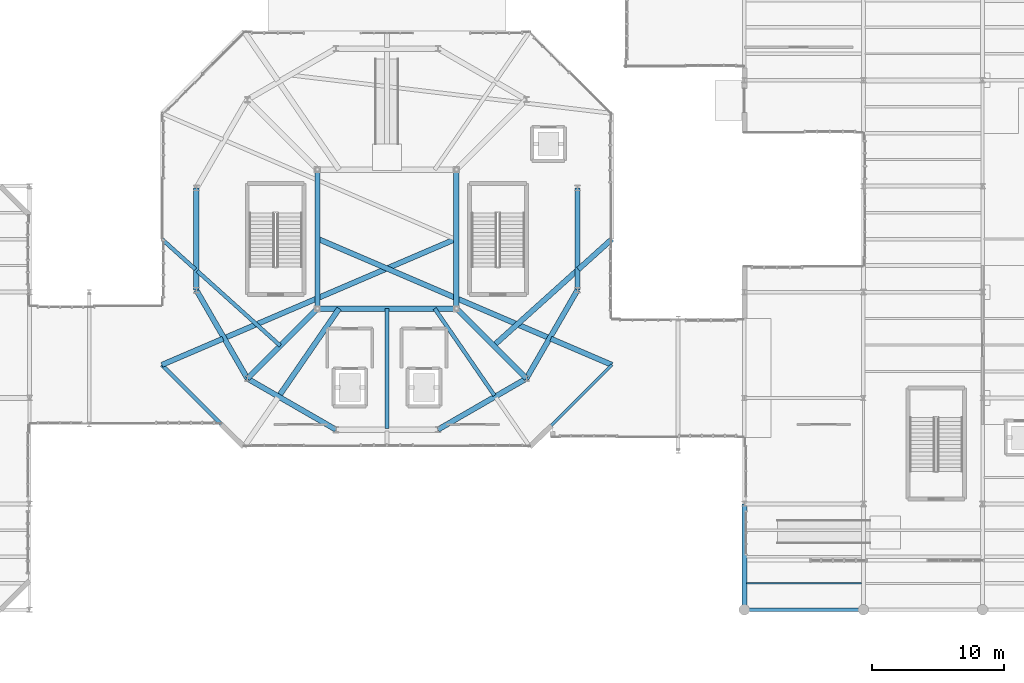
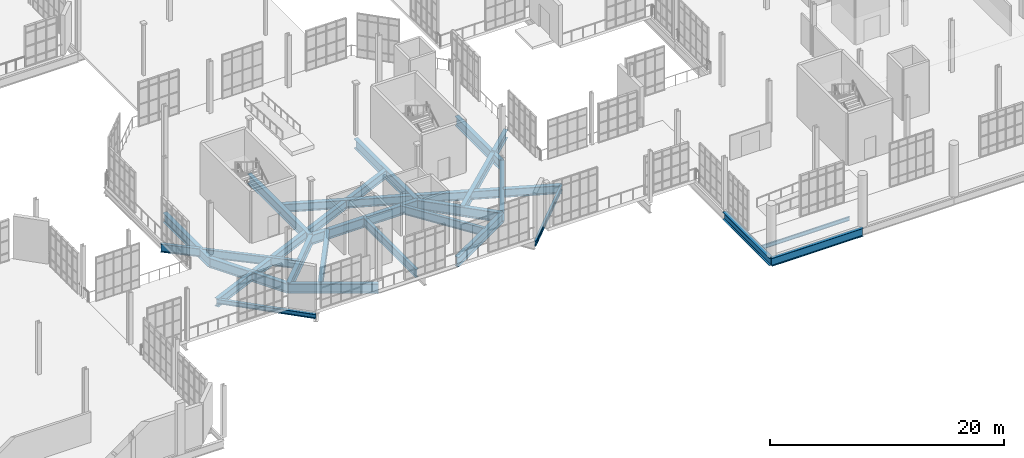
# One storey, part 46 of 189: 27 beams.
"""IFC4 building model written with IfcOpenShell, lengths in metres."""

from ifc_helpers import new_model, si_unit, direction, frame, origin, origin_2d, place, context, subcontext, project, spatial, i_section, extrude, material, material_profile, profile_set, type_object, element, save


model = new_model("IFC4")

# Units and contexts
model_context = context("Model", 3, precision=1e-05, world=origin(), true_north=direction((0.0, 1.0)))
body_context = subcontext(model_context, "Body", "Model", "MODEL_VIEW")
ifc_project = project(units=[si_unit("LENGTHUNIT", "METRE"), si_unit("AREAUNIT", "SQUARE_METRE"), si_unit("VOLUMEUNIT", "CUBIC_METRE"), si_unit("PLANEANGLEUNIT", "RADIAN"), si_unit("MASSUNIT", "GRAM", prefix="KILO"), si_unit("THERMODYNAMICTEMPERATUREUNIT", "KELVIN"), si_unit("POWERUNIT", "WATT")], contexts=[model_context])

# Site, building, storey
site_placement = place(None, origin())
site = spatial("IfcSite", under=ifc_project, at=site_placement, CompositionType="ELEMENT")
building_placement = place(site_placement, origin())
building = spatial("IfcBuilding", under=site, at=building_placement, Name="Zelmaris Science Centre", CompositionType="ELEMENT")
storey_placement = place(building_placement, origin())
storey = spatial("IfcBuildingStorey", under=building, at=storey_placement, Name="L00", CompositionType="ELEMENT", Elevation=0.0)

# Beams
ifc_material = material(Name="Steel ASTM A992 Grade 50", Category="steel")
ifc_material_profile_1 = material_profile(ifc_material, i_section(OverallWidth=0.40087890625, OverallDepth=0.85595703125, WebThickness=0.018310546875, FlangeThickness=0.029296875, FilletRadius=0.02001953125, at=origin_2d()), Name="W33X201")
ifc_profile_set_1 = profile_set([ifc_material_profile_1], Name="Steel ASTM A992 Grade 50")
beam_type_1 = type_object("IfcBeamType", Name="Beam G-05 W33X201", PredefinedType="BEAM", material=ifc_profile_set_1)
beam_1_placement = place(storey_placement, frame((75.75, 36.03515625, -0.76806640625), z_axis=(0.919155001304, -0.393896031432, 0.0), x_axis=(0.393896031432, 0.919155001304, 0.0)))
element("IfcBeam", 1, at=beam_1_placement, inside=storey, type_object=beam_type_1, Name="L00 Overhang back-span girder 4", PredefinedType="BEAM", context=body_context, shape_type="SweptSolid", body=[
    extrude(i_section(OverallWidth=0.40087890625, OverallDepth=0.85595703125, WebThickness=0.018310546875, FlangeThickness=0.029296875, FilletRadius=0.02001953125, at=origin_2d()), origin(), (0.0, 0.0, 1.0), 18.995849609375),
])
beam_2_placement = place(storey_placement, frame((93.384765625, 28.477783203125, -0.76806640625), z_axis=(0.919157604305, -0.393889957283, 0.0), x_axis=(0.393889957283, 0.919157604305, 0.0)))
element("IfcBeam", 2, at=beam_2_placement, inside=storey, type_object=beam_type_1, Name="L00 Radial overhang girder 4", PredefinedType="BEAM", context=body_context, shape_type="SweptSolid", body=[
    extrude(i_section(OverallWidth=0.40087890625, OverallDepth=0.85595703125, WebThickness=0.018310546875, FlangeThickness=0.029296875, FilletRadius=0.02001953125, at=origin_2d()), origin(), (0.0, 0.0, 1.0), 5.021240234375),
])
beam_3_placement = place(storey_placement, frame((86.25, 36.03515625, -0.76806640625), z_axis=(-0.919155001304, -0.393896031432, 0.0), x_axis=(0.393896031432, -0.919155001304, 0.0)))
element("IfcBeam", 3, at=beam_3_placement, inside=storey, type_object=beam_type_1, Name="L00 Overhang back-span girder 12", PredefinedType="BEAM", context=body_context, shape_type="SweptSolid", body=[
    extrude(i_section(OverallWidth=0.40087890625, OverallDepth=0.85595703125, WebThickness=0.018310546875, FlangeThickness=0.029296875, FilletRadius=0.02001953125, at=origin_2d()), origin(), (0.0, 0.0, 1.0), 18.995849609375),
])
beam_4_placement = place(storey_placement, frame((68.615234375, 28.477783203125, -0.76806640625), z_axis=(-0.919157604305, -0.393889957283, 0.0), x_axis=(0.393889957283, -0.919157604305, 0.0)))
element("IfcBeam", 4, at=beam_4_placement, inside=storey, type_object=beam_type_1, Name="L00 Radial overhang girder 12", PredefinedType="BEAM", context=body_context, shape_type="SweptSolid", body=[
    extrude(i_section(OverallWidth=0.40087890625, OverallDepth=0.85595703125, WebThickness=0.018310546875, FlangeThickness=0.029296875, FilletRadius=0.02001953125, at=origin_2d()), origin(), (0.0, 0.0, 1.0), 5.021240234375),
])
ifc_material_profile_2 = material_profile(ifc_material, i_section(OverallWidth=0.294921875, OverallDepth=0.85107421875, WebThickness=0.01611328125, FlangeThickness=0.02685546875, FilletRadius=0.02001953125, at=origin_2d()), Name="W33X152")
ifc_profile_set_2 = profile_set([ifc_material_profile_2], Name="Steel ASTM A992 Grade 50")
beam_type_2 = type_object("IfcBeamType", Name="Beam G-06 W33X152", PredefinedType="BEAM", material=ifc_profile_set_2)
beam_5_placement = place(storey_placement, frame((81.0, 30.75, -0.765380859375), z_axis=(0.0, -1.0, 0.0), x_axis=(1.0, 0.0, 0.0)))
element("IfcBeam", 5, at=beam_5_placement, inside=storey, type_object=beam_type_2, Name="L00 Overhang back-span girder 2", PredefinedType="BEAM", context=body_context, shape_type="SweptSolid", body=[
    extrude(i_section(OverallWidth=0.294921875, OverallDepth=0.85107421875, WebThickness=0.01611328125, FlangeThickness=0.02685546875, FilletRadius=0.02001953125, at=origin_2d()), origin(), (0.0, 0.0, 1.0), 9.04736328125),
])
ifc_material_profile_3 = material_profile(ifc_material, i_section(OverallWidth=0.2919921875, OverallDepth=0.841064453125, WebThickness=0.0146484375, FlangeThickness=0.021728515625, FilletRadius=0.02001953125, at=origin_2d()), Name="W33X130")
ifc_profile_set_3 = profile_set([ifc_material_profile_3], Name="Steel ASTM A992 Grade 50")
beam_type_3 = type_object("IfcBeamType", Name="Beam G-07 W33X130", PredefinedType="BEAM", material=ifc_profile_set_3)
beam_6_placement = place(storey_placement, frame((108.0, 8.0, -0.700439453125), z_axis=(1.0, 0.0, 0.0), x_axis=(0.0, 1.0, 0.0)))
element("IfcBeam", 6, at=beam_6_placement, inside=storey, type_object=beam_type_3, Name="L00 East-west girder 96", PredefinedType="BEAM", context=body_context, shape_type="SweptSolid", body=[
    extrude(i_section(OverallWidth=0.2919921875, OverallDepth=0.841064453125, WebThickness=0.0146484375, FlangeThickness=0.021728515625, FilletRadius=0.02001953125, at=origin_2d()), origin(), (0.0, 0.0, 1.0), 9.0),
])
ifc_material_profile_4 = material_profile(ifc_material, i_section(OverallWidth=0.40087890625, OverallDepth=1.0009765625, WebThickness=0.01904296875, FlangeThickness=0.0361328125, FilletRadius=0.02490234375, at=origin_2d()), Name="W40X249")
ifc_profile_set_4 = profile_set([ifc_material_profile_4], Name="Steel ASTM A992 Grade 50")
beam_type_4 = type_object("IfcBeamType", Name="Beam G-22 W40X249", PredefinedType="BEAM", material=ifc_profile_set_4)
for number, where, z_axis, x_axis, name in (
    (7, (66.607666015625, 39.8564453125, -0.840576171875), (0.0, -1.0, 0.0), (1.0, 0.0, 0.0), "L00 Exhibition inner ring girder 6"),
    (8, (66.607666015625, 32.1435546875, -0.840576171875), (0.500006504531, -0.866021648359, 0.0), (0.866021648359, 0.500006504531, 0.0), "L00 Exhibition inner ring girder 7"),
    (9, (70.464111328125, 25.464111328125, -0.840576171875), (0.866021648359, -0.500006504531, 0.0), (0.500006504531, 0.866021648359, 0.0), "L00 Exhibition inner ring girder 8"),
    (10, (84.8564453125, 21.607666015625, -0.840576171875), (0.866021648359, 0.500006504531, 0.0), (-0.500006504531, 0.866021648359, 0.0), "L00 Exhibition inner ring girder 10"),
    (11, (91.535888671875, 25.464111328125, -0.840576171875), (0.500006504531, 0.866021648359, 0.0), (-0.866021648359, 0.500006504531, 0.0), "L00 Exhibition inner ring girder 11"),
    (12, (95.392333984375, 32.1435546875, -0.840576171875), (0.0, 1.0, 0.0), (-1.0, 0.0, 0.0), "L00 Exhibition inner ring girder 12"),
):
    element("IfcBeam", number, at=place(storey_placement, frame(where, z_axis=z_axis, x_axis=x_axis)), inside=storey, type_object=beam_type_4, Name=name, PredefinedType="BEAM", context=body_context, shape_type="SweptSolid", body=[
        extrude(i_section(OverallWidth=0.40087890625, OverallDepth=1.0009765625, WebThickness=0.01904296875, FlangeThickness=0.0361328125, FilletRadius=0.02490234375, at=origin_2d()), origin(), (0.0, 0.0, 1.0), 7.712890625),
    ])
for number, where, z_axis, x_axis, name in (
    (13, (75.75, 30.75, -0.840576171875), (1.0, 0.0, 0.0), (0.0, 1.0, 0.0), "L00 Atrium framing girder 1"),
    (14, (86.25, 30.75, -0.840576171875), (0.0, 1.0, 0.0), (-1.0, 0.0, 0.0), "L00 Atrium framing girder 2"),
    (15, (75.75, 41.25, -0.840576171875), (0.0, -1.0, 0.0), (1.0, 0.0, 0.0), "L00 Atrium framing girder 4"),
):
    element("IfcBeam", number, at=place(storey_placement, frame(where, z_axis=z_axis, x_axis=x_axis)), inside=storey, type_object=beam_type_4, Name=name, PredefinedType="BEAM", context=body_context, shape_type="SweptSolid", body=[
        extrude(i_section(OverallWidth=0.40087890625, OverallDepth=1.0009765625, WebThickness=0.01904296875, FlangeThickness=0.0361328125, FilletRadius=0.02490234375, at=origin_2d()), origin(), (0.0, 0.0, 1.0), 10.5),
    ])
for number, where, z_axis, x_axis, name in (
    (16, (75.75, 30.75, -0.840576171875), (-0.707106781187, -0.707106781187, 0.0), (0.707106781187, -0.707106781187, 0.0), "L00 Atrium diagonal header girder 1"),
    (17, (86.25, 30.75, -0.840576171875), (0.707106781187, -0.707106781187, 0.0), (0.707106781187, 0.707106781187, 0.0), "L00 Atrium diagonal header girder 2"),
):
    element("IfcBeam", number, at=place(storey_placement, frame(where, z_axis=z_axis, x_axis=x_axis)), inside=storey, type_object=beam_type_4, Name=name, PredefinedType="BEAM", context=body_context, shape_type="SweptSolid", body=[
        extrude(i_section(OverallWidth=0.40087890625, OverallDepth=1.0009765625, WebThickness=0.01904296875, FlangeThickness=0.0361328125, FilletRadius=0.02490234375, at=origin_2d()), origin(), (0.0, 0.0, 1.0), 7.475341796875),
    ])
ifc_material_profile_5 = material_profile(ifc_material, i_section(OverallWidth=0.404052734375, OverallDepth=0.861083984375, WebThickness=0.019775390625, FlangeThickness=0.032470703125, FilletRadius=0.02001953125, at=origin_2d()), Name="W33X221")
ifc_profile_set_5 = profile_set([ifc_material_profile_5], Name="Steel ASTM A992 Grade 50")
beam_type_5 = type_object("IfcBeamType", Name="Beam G-28 W33X221", PredefinedType="BEAM", material=ifc_profile_set_5)
beam_7_placement = place(storey_placement, frame((77.388427734375, 30.75, -0.7705078125), z_axis=(-0.566757608404, -0.823884587376, 0.0), x_axis=(0.823884587376, -0.566757608404, 0.0)))
element("IfcBeam", 18, at=beam_7_placement, inside=storey, type_object=beam_type_5, Name="L00 Overhang back-span girder 1", PredefinedType="BEAM", context=body_context, shape_type="SweptSolid", body=[
    extrude(i_section(OverallWidth=0.404052734375, OverallDepth=0.861083984375, WebThickness=0.019775390625, FlangeThickness=0.032470703125, FilletRadius=0.02001953125, at=origin_2d()), origin(), (0.0, 0.0, 1.0), 7.969970703125),
])
beam_8_placement = place(storey_placement, frame((89.054443359375, 27.945556640625, -0.7705078125), z_axis=(0.743163139416, 0.66911026611, 0.0), x_axis=(-0.66911026611, 0.743163139416, 0.0)))
element("IfcBeam", 19, at=beam_8_placement, inside=storey, type_object=beam_type_5, Name="L00 Overhang back-span girder 5", PredefinedType="BEAM", context=body_context, shape_type="SweptSolid", body=[
    extrude(i_section(OverallWidth=0.404052734375, OverallDepth=0.861083984375, WebThickness=0.019775390625, FlangeThickness=0.032470703125, FilletRadius=0.02001953125, at=origin_2d()), origin(), (0.0, 0.0, 1.0), 8.433349609375),
])
beam_9_placement = place(storey_placement, frame((95.462890625, 33.715576171875, -0.7705078125), z_axis=(0.743144783814, 0.669130652631, 0.0), x_axis=(-0.669130652631, 0.743144783814, 0.0)))
element("IfcBeam", 20, at=beam_9_placement, inside=storey, type_object=beam_type_5, Name="L00 Radial overhang girder 5", PredefinedType="BEAM", context=body_context, shape_type="SweptSolid", body=[
    extrude(i_section(OverallWidth=0.404052734375, OverallDepth=0.861083984375, WebThickness=0.019775390625, FlangeThickness=0.032470703125, FilletRadius=0.02001953125, at=origin_2d()), origin(), (0.0, 0.0, 1.0), 3.4140625),
])
ifc_material_profile_6 = material_profile(ifc_material, i_section(OverallWidth=0.2919921875, OverallDepth=0.85888671875, WebThickness=0.01708984375, FlangeThickness=0.031005859375, FilletRadius=0.02001953125, at=origin_2d()), Name="W33X169")
ifc_profile_set_6 = profile_set([ifc_material_profile_6], Name="Steel ASTM A992 Grade 50")
beam_type_6 = type_object("IfcBeamType", Name="Beam G-29 W33X169", PredefinedType="BEAM", material=ifc_profile_set_6)
beam_10_placement = place(storey_placement, frame((84.611572265625, 30.75, -0.76953125), z_axis=(0.566757608404, -0.823884587376, 0.0), x_axis=(0.823884587376, 0.566757608404, 0.0)))
element("IfcBeam", 21, at=beam_10_placement, inside=storey, type_object=beam_type_6, Name="L00 Overhang back-span girder 3", PredefinedType="BEAM", context=body_context, shape_type="SweptSolid", body=[
    extrude(i_section(OverallWidth=0.2919921875, OverallDepth=0.85888671875, WebThickness=0.01708984375, FlangeThickness=0.031005859375, FilletRadius=0.02001953125, at=origin_2d()), origin(), (0.0, 0.0, 1.0), 7.969970703125),
])
beam_11_placement = place(storey_placement, frame((72.945556640625, 27.945556640625, -0.76953125), z_axis=(-0.743163139416, 0.66911026611, 0.0), x_axis=(-0.66911026611, -0.743163139416, 0.0)))
element("IfcBeam", 22, at=beam_11_placement, inside=storey, type_object=beam_type_6, Name="L00 Overhang back-span girder 11", PredefinedType="BEAM", context=body_context, shape_type="SweptSolid", body=[
    extrude(i_section(OverallWidth=0.2919921875, OverallDepth=0.85888671875, WebThickness=0.01708984375, FlangeThickness=0.031005859375, FilletRadius=0.02001953125, at=origin_2d()), origin(), (0.0, 0.0, 1.0), 8.433349609375),
])
beam_12_placement = place(storey_placement, frame((66.537109375, 33.715576171875, -0.76953125), z_axis=(-0.743144783814, 0.669130652631, 0.0), x_axis=(-0.669130652631, -0.743144783814, 0.0)))
element("IfcBeam", 23, at=beam_12_placement, inside=storey, type_object=beam_type_6, Name="L00 Radial overhang girder 11", PredefinedType="BEAM", context=body_context, shape_type="SweptSolid", body=[
    extrude(i_section(OverallWidth=0.2919921875, OverallDepth=0.85888671875, WebThickness=0.01708984375, FlangeThickness=0.031005859375, FilletRadius=0.02001953125, at=origin_2d()), origin(), (0.0, 0.0, 1.0), 3.4140625),
])
ifc_material_profile_7 = material_profile(ifc_material, i_section(OverallWidth=0.381103515625, OverallDepth=0.777099609375, WebThickness=0.01806640625, FlangeThickness=0.030029296875, FilletRadius=0.01904296875, at=origin_2d()), Name="W30X191")
ifc_profile_set_7 = profile_set([ifc_material_profile_7], Name="Steel ASTM A992 Grade 50")
beam_type_7 = type_object("IfcBeamType", Name="Beam G-31 W30X191", PredefinedType="BEAM", material=ifc_profile_set_7)
beam_13_placement = place(storey_placement, frame((108.0, 8.0, -0.678466796875), z_axis=(0.0, 1.0, 0.0), x_axis=(-1.0, 0.0, 0.0)))
element("IfcBeam", 24, at=beam_13_placement, inside=storey, type_object=beam_type_7, Name="L00 North-south girder 51", PredefinedType="BEAM", context=body_context, shape_type="SweptSolid", body=[
    extrude(i_section(OverallWidth=0.381103515625, OverallDepth=0.777099609375, WebThickness=0.01806640625, FlangeThickness=0.030029296875, FilletRadius=0.01904296875, at=origin_2d()), origin(), (0.0, 0.0, 1.0), 8.0),
])
ifc_material_profile_8 = material_profile(ifc_material, i_section(OverallWidth=0.139892578125, OverallDepth=0.404052734375, WebThickness=0.007080078125, FlangeThickness=0.01123046875, FilletRadius=0.011962890625, at=origin_2d()), Name="W16X31")
ifc_profile_set_8 = profile_set([ifc_material_profile_8], Name="Steel ASTM A992 Grade 50")
beam_type_8 = type_object("IfcBeamType", Name="Beam J-08 W16X31", PredefinedType="JOIST", material=ifc_profile_set_8)
beam_14_placement = place(storey_placement, frame((108.175537109375, 10.0, -0.491943359375), z_axis=(1.0, 0.0, 0.0), x_axis=(0.0, 1.0, 0.0)))
element("IfcBeam", 25, at=beam_14_placement, inside=storey, type_object=beam_type_8, Name="L00 Composite floor joist 70", PredefinedType="JOIST", context=body_context, shape_type="SweptSolid", body=[
    extrude(i_section(OverallWidth=0.139892578125, OverallDepth=0.404052734375, WebThickness=0.007080078125, FlangeThickness=0.01123046875, FilletRadius=0.011962890625, at=origin_2d()), origin(), (0.0, 0.0, 1.0), 8.683349609375),
])
ifc_material_profile_9 = material_profile(ifc_material, i_section(OverallWidth=0.2109375, OverallDepth=0.5380859375, WebThickness=0.01171875, FlangeThickness=0.018798828125, FilletRadius=0.013916015625, at=origin_2d()), Name="W21X73")
ifc_profile_set_9 = profile_set([ifc_material_profile_9], Name="Steel ASTM A992 Grade 50")
beam_type_9 = type_object("IfcBeamType", Name="Beam SP-02 W21X73", PredefinedType="SPANDREL", material=ifc_profile_set_9)
beam_15_placement = place(storey_placement, frame((91.800048828125, 20.300048828125, -0.60888671875), z_axis=(0.707106781187, 0.707106781187, 0.0), x_axis=(-0.707106781187, 0.707106781187, 0.0)))
element("IfcBeam", 26, at=beam_15_placement, inside=storey, type_object=beam_type_9, Name="L00 Rotated facade spandrel beam 1", PredefinedType="SPANDREL", context=body_context, shape_type="SweptSolid", body=[
    extrude(i_section(OverallWidth=0.2109375, OverallDepth=0.5380859375, WebThickness=0.01171875, FlangeThickness=0.018798828125, FilletRadius=0.013916015625, at=origin_2d()), origin(), (0.0, 0.0, 1.0), 8.76806640625),
])
ifc_material_profile_10 = material_profile(ifc_material, i_section(OverallWidth=0.279052734375, OverallDepth=0.4619140625, WebThickness=0.0107421875, FlangeThickness=0.017333984375, FilletRadius=0.012939453125, at=origin_2d()), Name="W18X76")
ifc_profile_set_10 = profile_set([ifc_material_profile_10], Name="Steel ASTM A992 Grade 50")
beam_type_10 = type_object("IfcBeamType", Name="Beam SP-03 W18X76", PredefinedType="SPANDREL", material=ifc_profile_set_10)
beam_16_placement = place(storey_placement, frame((64.0, 26.5, -0.571044921875), z_axis=(0.707106781187, -0.707106781187, 0.0), x_axis=(0.707106781187, 0.707106781187, 0.0)))
element("IfcBeam", 27, at=beam_16_placement, inside=storey, type_object=beam_type_10, Name="L00 Rotated facade spandrel beam 5", PredefinedType="SPANDREL", context=body_context, shape_type="SweptSolid", body=[
    extrude(i_section(OverallWidth=0.279052734375, OverallDepth=0.4619140625, WebThickness=0.0107421875, FlangeThickness=0.017333984375, FilletRadius=0.012939453125, at=origin_2d()), origin(), (0.0, 0.0, 1.0), 8.76806640625),
])

save(model, "model.ifc")
